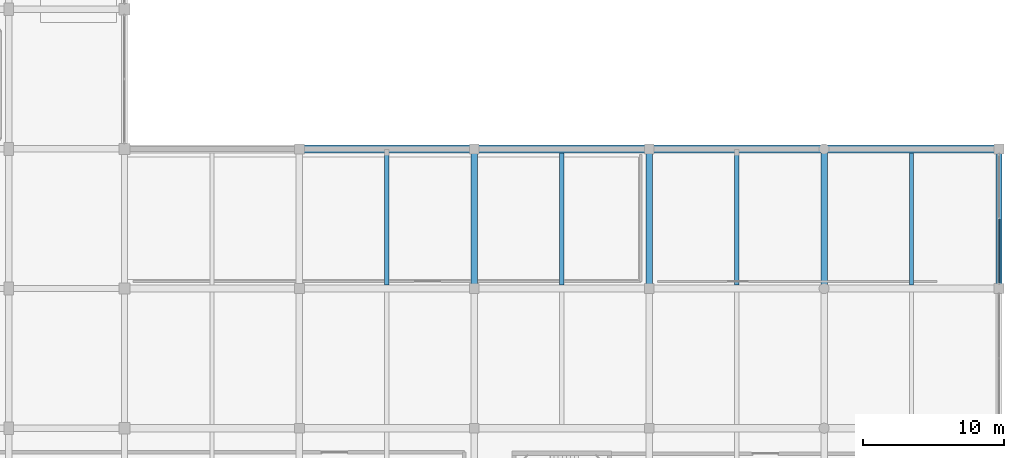
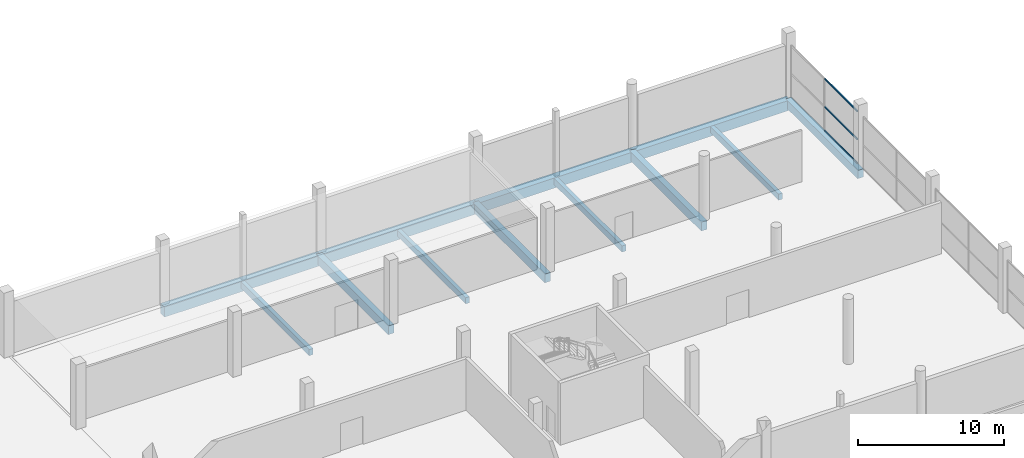
# One storey, part 39 of 74: 12 beams, 3 members, 1 element without a shape of its own.
"""IFC4 building model written with IfcOpenShell, lengths in metres."""

from ifc_helpers import new_model, si_unit, direction, frame, origin, origin_2d, place, context, subcontext, project, spatial, rectangle, hollow_rectangle, extrude, material, layer, layer_set, material_profile, profile_set, type_object, element, aggregate, save


model = new_model("IFC4")

# Units and contexts
model_context = context("Model", 3, precision=1e-05, world=origin(), true_north=direction((0.0, 1.0)))
body_context = subcontext(model_context, "Body", "Model", "MODEL_VIEW")
ifc_project = project(units=[si_unit("LENGTHUNIT", "METRE"), si_unit("AREAUNIT", "SQUARE_METRE"), si_unit("VOLUMEUNIT", "CUBIC_METRE"), si_unit("PLANEANGLEUNIT", "RADIAN"), si_unit("MASSUNIT", "GRAM", prefix="KILO")], contexts=[model_context])

# Site, building, storey
site_placement = place(None, origin())
site = spatial("IfcSite", under=ifc_project, at=site_placement, CompositionType="ELEMENT")
building_placement = place(site_placement, origin())
building = spatial("IfcBuilding", under=site, at=building_placement, Name="Sillaruma Civic Art Gallery", CompositionType="ELEMENT")
storey_placement = place(building_placement, frame((0.0, 0.0, 5.43994140625)))
storey = spatial("IfcBuildingStorey", under=building, at=storey_placement, Name="L01", CompositionType="ELEMENT", Elevation=5.43994140625)

# Beams
ifc_material_1 = material(Name="Concrete H40 (40 MPa)", Category="concrete")
ifc_material_profile_1 = material_profile(ifc_material_1, rectangle(XDim=0.449951171875, YDim=0.75, at=origin_2d()), Name="RCB450x750")
ifc_profile_set_1 = profile_set([ifc_material_profile_1], Name="Concrete H40 (40 MPa)")
beam_type_1 = type_object("IfcBeamType", Name="BM-BEAM-RCB450x750", PredefinedType="BEAM", material=ifc_profile_set_1)
for number, where, z_axis, x_axis, name in (
    (1, (139.199951171875, 29.699951171875, -0.635009765625), (0.0, 1.0, 0.0), (-1.0, 0.0, 0.0), "Beam BM-03 (L00:Q:4-5)"),
    (2, (151.60009765625, 29.699951171875, -0.635009765625), (0.0, 1.0, 0.0), (-1.0, 0.0, 0.0), "Beam BM-03 (L00:R:4-5)"),
    (3, (164.0, 29.699951171875, -0.635009765625), (0.0, 1.0, 0.0), (-1.0, 0.0, 0.0), "Beam BM-03 (L00:S:4-5)"),
):
    element("IfcBeam", number, at=place(storey_placement, frame(where, z_axis=z_axis, x_axis=x_axis)), inside=storey, type_object=beam_type_1, Name=name, PredefinedType="BEAM", context=body_context, shape_type="SweptSolid", body=[
        extrude(rectangle(XDim=0.449951171875, YDim=0.75, at=origin_2d()), origin(), (0.0, 0.0, 1.0), 9.900146484375),
    ])
ifc_material_profile_2 = material_profile(ifc_material_1, rectangle(XDim=0.550048828125, YDim=0.85009765625, at=origin_2d()), Name="RCB550x850")
ifc_profile_set_2 = profile_set([ifc_material_profile_2], Name="Concrete H40 (40 MPa)")
beam_type_2 = type_object("IfcBeamType", Name="BM-BEAM-RCB550x850", PredefinedType="BEAM", material=ifc_profile_set_2)
beam_1_placement = place(storey_placement, frame((126.800048828125, 39.60009765625, -0.68505859375), z_axis=(1.0, 0.0, 0.0), x_axis=(0.0, 1.0, 0.0)))
element("IfcBeam", 4, at=beam_1_placement, inside=storey, type_object=beam_type_2, Name="Beam BM-01 (L00:5:P-Q)", PredefinedType="BEAM", context=body_context, shape_type="SweptSolid", body=[
    extrude(rectangle(XDim=0.550048828125, YDim=0.85009765625, at=origin_2d()), origin(), (0.0, 0.0, 1.0), 12.39990234375),
])
beam_2_placement = place(storey_placement, frame((139.199951171875, 39.60009765625, -0.68505859375), z_axis=(1.0, 0.0, 0.0), x_axis=(0.0, 1.0, 0.0)))
element("IfcBeam", 5, at=beam_2_placement, inside=storey, type_object=beam_type_2, Name="Beam BM-01 (L00:5:Q-R)", PredefinedType="BEAM", context=body_context, shape_type="SweptSolid", body=[
    extrude(rectangle(XDim=0.550048828125, YDim=0.85009765625, at=origin_2d()), origin(), (0.0, 0.0, 1.0), 12.400146484375),
])
for number, where, z_axis, x_axis, name in (
    (6, (151.60009765625, 39.60009765625, -0.68505859375), (1.0, 0.0, 0.0), (0.0, 1.0, 0.0), "Beam BM-01 (L00:5:R-S)"),
    (7, (164.0, 39.60009765625, -0.68505859375), (1.0, 0.0, 0.0), (0.0, 1.0, 0.0), "Beam BM-01 (L00:5:S-T)"),
):
    element("IfcBeam", number, at=place(storey_placement, frame(where, z_axis=z_axis, x_axis=x_axis)), inside=storey, type_object=beam_type_2, Name=name, PredefinedType="BEAM", context=body_context, shape_type="SweptSolid", body=[
        extrude(rectangle(XDim=0.550048828125, YDim=0.85009765625, at=origin_2d()), origin(), (0.0, 0.0, 1.0), 12.39990234375),
    ])
ifc_material_2 = material(Name="Concrete H35 (35 MPa)", Category="concrete")
ifc_material_profile_3 = material_profile(ifc_material_2, rectangle(XDim=0.300048828125, YDim=0.52001953125, at=origin_2d()), Name="RCB300x520")
ifc_profile_set_3 = profile_set([ifc_material_profile_3], Name="Concrete H35 (35 MPa)")
beam_type_3 = type_object("IfcBeamType", Name="BM-JOIST-RCB300x520", PredefinedType="JOIST", material=ifc_profile_set_3)
for number, where, z_axis, x_axis, name in (
    (8, (133.0, 29.9599609375, -0.52001953125), (0.0, 1.0, 0.0), (-1.0, 0.0, 0.0), "Floor Joist JR-01 (L00:PQ:4-5)"),
    (9, (145.39990234375, 29.9599609375, -0.52001953125), (0.0, 1.0, 0.0), (-1.0, 0.0, 0.0), "Floor Joist JR-01 (L00:QR:4-5)"),
    (10, (157.800048828125, 29.9599609375, -0.52001953125), (0.0, 1.0, 0.0), (-1.0, 0.0, 0.0), "Floor Joist JR-01 (L00:RS:4-5)"),
    (11, (170.199951171875, 29.9599609375, -0.52001953125), (0.0, 1.0, 0.0), (-1.0, 0.0, 0.0), "Floor Joist JR-01 (L00:ST:4-5)"),
):
    element("IfcBeam", number, at=place(storey_placement, frame(where, z_axis=z_axis, x_axis=x_axis)), inside=storey, type_object=beam_type_3, Name=name, PredefinedType="JOIST", context=body_context, shape_type="SweptSolid", body=[
        extrude(rectangle(XDim=0.300048828125, YDim=0.52001953125, at=origin_2d()), origin(), (0.0, 0.0, 1.0), 9.364990234375),
    ])
ifc_material_profile_4 = material_profile(ifc_material_2, rectangle(XDim=0.449951171875, YDim=0.699951171875, at=origin_2d()), Name="RCB450x700")
ifc_profile_set_4 = profile_set([ifc_material_profile_4], Name="Concrete H35 (35 MPa)")
beam_type_4 = type_object("IfcBeamType", Name="BM-SPANDREL-RCB450x700", PredefinedType="SPANDREL", material=ifc_profile_set_4)
beam_3_placement = place(storey_placement, frame((176.39990234375, 29.699951171875, -0.60986328125), z_axis=(0.0, 1.0, 0.0), x_axis=(-1.0, 0.0, 0.0)))
element("IfcBeam", 12, at=beam_3_placement, inside=storey, type_object=beam_type_4, Name="Beam BS-03 (L00:T:4-5)", PredefinedType="SPANDREL", context=body_context, shape_type="SweptSolid", body=[
    extrude(rectangle(XDim=0.449951171875, YDim=0.699951171875, at=origin_2d()), origin(), (0.0, 0.0, 1.0), 9.900146484375),
])

# Curtain wall, members
ifc_material_3 = material(Name="Thermally Broken Extruded Aluminium 6063-T6", Category="aluminium")
ifc_layer = layer(ifc_material_3, 0.179931640625, Name="Thermally Broken Extruded Aluminium 6063-T6")
ifc_layer_set = layer_set([ifc_layer], Name="Thermally Broken Extruded Aluminium 6063-T6")
curtain_wall_type = type_object("IfcCurtainWallType", Name="CW-UNI-12", PredefinedType="NOTDEFINED", material=ifc_layer_set)
curtain_wall_placement = place(storey_placement, origin())
curtain_wall = element("IfcCurtainWall", 13, at=curtain_wall_placement, inside=storey, type_object=curtain_wall_type, Name="Unitised Curtain Wall CW-12 (CW-L01-ESTR-4)", PredefinedType="NOTDEFINED")
ifc_material_profile_5 = material_profile(ifc_material_3, hollow_rectangle(XDim=0.070068359375, YDim=0.139892578125, WallThickness=0.00390625, at=origin_2d()), Name="CWT70x140")
ifc_profile_set_5 = profile_set([ifc_material_profile_5], Name="Thermally Broken Extruded Aluminium 6063-T6")
member_type = type_object("IfcMemberType", Name="MEM-TRN-CWT70x140", PredefinedType="USERDEFINED", material=ifc_profile_set_5)
member_1_placement = place(storey_placement, frame((176.39990234375, 30.1201171875, 0.03515625), z_axis=(0.0, 1.0, 0.0), x_axis=(-1.0, 0.0, 0.0)))
member_1 = element("IfcMember", 14, at=member_1_placement, type_object=member_type, Name="CW-12 transom 1.1", ObjectType="TRANSOM", PredefinedType="USERDEFINED", context=body_context, shape_type="SweptSolid", body=[
    extrude(hollow_rectangle(XDim=0.070068359375, YDim=0.139892578125, WallThickness=0.00390625, at=origin_2d()), origin(), (0.0, 0.0, 1.0), 4.494873046875),
])
member_2_placement = place(storey_placement, frame((176.39990234375, 30.1201171875, 2.024169921875), z_axis=(0.0, 1.0, 0.0), x_axis=(-1.0, 0.0, 0.0)))
member_2 = element("IfcMember", 15, at=member_2_placement, type_object=member_type, Name="CW-12 transom 1.2", ObjectType="TRANSOM", PredefinedType="USERDEFINED", context=body_context, shape_type="SweptSolid", body=[
    extrude(hollow_rectangle(XDim=0.070068359375, YDim=0.139892578125, WallThickness=0.00390625, at=origin_2d()), origin(), (0.0, 0.0, 1.0), 4.494873046875),
])
member_3_placement = place(storey_placement, frame((176.39990234375, 30.1201171875, 4.364990234375), z_axis=(0.0, 1.0, 0.0), x_axis=(-1.0, 0.0, 0.0)))
member_3 = element("IfcMember", 16, at=member_3_placement, type_object=member_type, Name="CW-12 transom 1.3", ObjectType="TRANSOM", PredefinedType="USERDEFINED", context=body_context, shape_type="SweptSolid", body=[
    extrude(hollow_rectangle(XDim=0.070068359375, YDim=0.139892578125, WallThickness=0.00390625, at=origin_2d()), origin(), (0.0, 0.0, 1.0), 4.494873046875),
])
aggregate(curtain_wall, [member_1, member_2, member_3])

save(model, "model.ifc")
